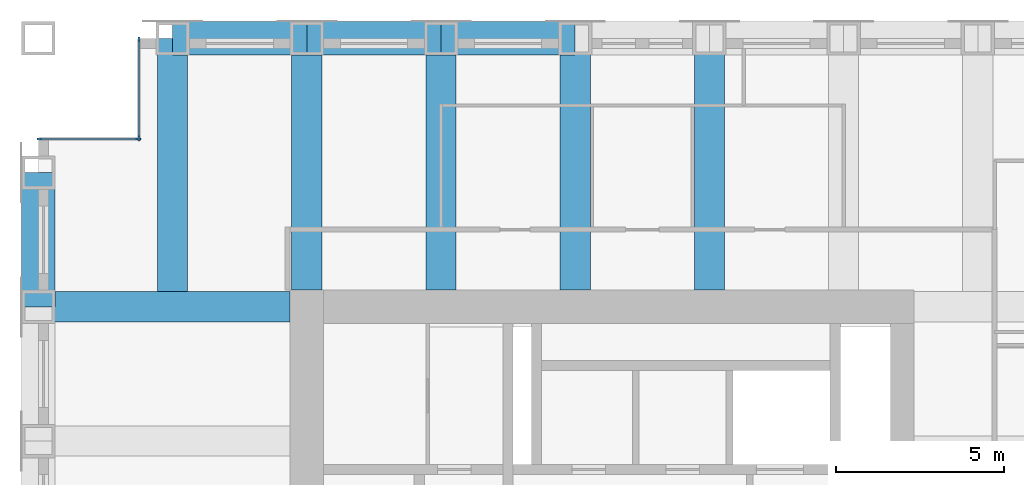
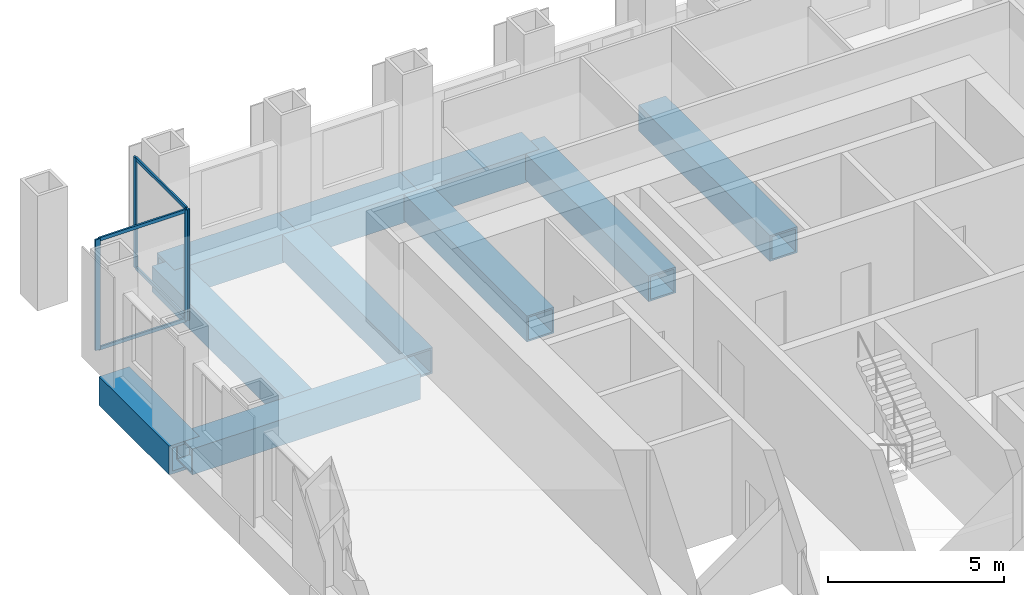
# One storey, part 5 of 11: 10 beams, 8 members, 2 elements without a shape of their own.
"""IFC4 building model written with IfcOpenShell, lengths in metres."""

import ifcopenshell
import ifcopenshell.guid

model = None  # the IFC model being written
_history = None  # IfcOwnerHistory: only IFC2X3 demands one
_inside = {}  # id of a spatial element -> (the spatial element, [elements in it])
_under = {}  # id of a project, library or spatial element -> (it, [spatial elements below it])
_declared = {}  # id of a project -> (the project, [libraries it declares])
_typed = {}  # id of a type object -> (the type object, [elements of that type])
_made_of = {}  # id of a material, layer set ... -> (it, [elements and type objects made of it])


def new_model(schema):
    """Start an empty IFC model of exactly this schema.

    Asked for "IFC4X3", IfcOpenShell would pick the latest addendum, in which some entities
    have other attributes; the version numbers below select the first issue.
    IFC2X3 requires an IfcOwnerHistory on every rooted entity: one is made here for all.
    """
    global model, _history
    if schema == "IFC4X3":
        model = ifcopenshell.file(schema_version=(4, 3, 0, 0))
    else:
        model = ifcopenshell.file(schema=schema)
    _inside.clear()
    _under.clear()
    _declared.clear()
    _typed.clear()
    _made_of.clear()
    _history = None
    if model.schema == "IFC2X3":
        org = make("IfcOrganization", Name="unknown")
        user = make(
            "IfcPersonAndOrganization",
            ThePerson=make("IfcPerson", FamilyName="unknown"),
            TheOrganization=org,
        )
        app = make(
            "IfcApplication",
            ApplicationDeveloper=org,
            Version="unknown",
            ApplicationFullName="unknown",
            ApplicationIdentifier="unknown",
        )
        _history = make(
            "IfcOwnerHistory",
            OwningUser=user,
            OwningApplication=app,
            ChangeAction="ADDED",
            CreationDate=0,
        )
    return model


def make(cls, **values):
    """One entity of the class cls with the attributes given. An attribute that is None is left unset."""
    return model.create_entity(
        cls, **{name: value for name, value in values.items() if value is not None}
    )


def rooted(cls, **values):
    """An entity with a GlobalId (a new one), such as an element, a storey or a relation."""
    return make(cls, GlobalId=ifcopenshell.guid.new(), OwnerHistory=_history, **values)


def si_unit(unit_type, name, prefix=None):
    """IfcSIUnit, for example si_unit("LENGTHUNIT", "METRE", prefix="MILLI")."""
    return make("IfcSIUnit", UnitType=unit_type, Prefix=prefix, Name=name)


def assignment(units):
    """IfcUnitAssignment: the units of a project."""
    return None if units is None else make("IfcUnitAssignment", Units=units)


def point(xyz):
    """IfcCartesianPoint."""
    return None if xyz is None else make("IfcCartesianPoint", Coordinates=xyz)


def direction(xyz):
    """IfcDirection."""
    return None if xyz is None else make("IfcDirection", DirectionRatios=xyz)


def frame(location, z_axis=None, x_axis=None):
    """IfcAxis2Placement3D, a coordinate frame: its origin and axes. An axis left out is left unset."""
    return make(
        "IfcAxis2Placement3D",
        Location=point(location),
        Axis=direction(z_axis),
        RefDirection=direction(x_axis),
    )


def frame_2d(location, x_axis=None):
    """IfcAxis2Placement2D, a coordinate frame in the plane: its origin and x axis."""
    return make(
        "IfcAxis2Placement2D", Location=point(location), RefDirection=direction(x_axis)
    )


def origin():
    """The frame at (0, 0, 0) with its axes left unset."""
    return frame((0.0, 0.0, 0.0))


def origin_2d():
    """The frame at (0, 0) in the plane with its x axis left unset."""
    return frame_2d((0.0, 0.0))


def place(relative_to, where):
    """IfcLocalPlacement: puts the frame where relative to a parent placement (None: the world)."""
    return make(
        "IfcLocalPlacement", PlacementRelTo=relative_to, RelativePlacement=where
    )


def context(
    kind, dimensions, precision=None, world=None, true_north=None, identifier=None
):
    """IfcGeometricRepresentationContext, for example the 3D "Model" context."""
    return make(
        "IfcGeometricRepresentationContext",
        ContextIdentifier=identifier,
        ContextType=kind,
        CoordinateSpaceDimension=dimensions,
        Precision=precision,
        WorldCoordinateSystem=world,
        TrueNorth=true_north,
    )


def subcontext(parent, identifier, kind, view, scale=None):
    """IfcGeometricRepresentationSubContext, for example "Body" below "Model"."""
    return make(
        "IfcGeometricRepresentationSubContext",
        ContextIdentifier=identifier,
        ContextType=kind,
        ParentContext=parent,
        TargetScale=scale,
        TargetView=view,
    )


def project(units=None, contexts=None):
    """IfcProject with its units and contexts."""
    return rooted(
        "IfcProject",
        Name="project",
        RepresentationContexts=contexts,
        UnitsInContext=assignment(units),
    )


def spatial(cls, under=None, at=None, **own):
    """A site, building, storey or space (cls), placed at a placement, below another one or the project."""
    s = rooted(cls, ObjectPlacement=at, **own)
    if under is not None:
        _under.setdefault(under.id(), (under, []))[1].append(s)
    return s


def profile(cls, at=None, kind="AREA", **sizes):
    """A parametric profile (cls). Its sizes go by their IFC names, for example OverallWidth=200.0."""
    return make(cls, ProfileType=kind, Position=at, **sizes)


def rectangle(**sizes):
    """IfcRectangleProfileDef."""
    return profile("IfcRectangleProfileDef", **sizes)


def hollow_rectangle(**sizes):
    """IfcRectangleHollowProfileDef."""
    return profile("IfcRectangleHollowProfileDef", **sizes)


def extrude(swept, where, along, depth):
    """IfcExtrudedAreaSolid: the profile swept, set in the frame where, extruded along a direction by depth."""
    return make(
        "IfcExtrudedAreaSolid",
        SweptArea=swept,
        Position=where,
        ExtrudedDirection=direction(along),
        Depth=depth,
    )


def shape(context_of_items, identifier, shape_type, items):
    """IfcShapeRepresentation: the items that make up one representation, for example the "Body"."""
    return make(
        "IfcShapeRepresentation",
        ContextOfItems=context_of_items,
        RepresentationIdentifier=identifier,
        RepresentationType=shape_type,
        Items=items,
    )


def material(Name=None, Category=None):
    """IfcMaterial."""
    return make("IfcMaterial", Name=Name, Category=Category)


def material_profile(
    of_material, cross_section, Name=None, Category=None, Priority=None
):
    """IfcMaterialProfile: a cross section and its material."""
    return make(
        "IfcMaterialProfile",
        Name=Name,
        Material=of_material,
        Profile=cross_section,
        Priority=Priority,
        Category=Category,
    )


def profile_set(profiles, Name=None, composite=None):
    """IfcMaterialProfileSet."""
    return make(
        "IfcMaterialProfileSet",
        Name=Name,
        MaterialProfiles=profiles,
        CompositeProfile=composite,
    )


def made_of(thing, what):
    """Note that an element or type object is made of a material, layer set ...; save() writes the relation."""
    if what is not None:
        _made_of.setdefault(what.id(), (what, []))[1].append(thing)
    return thing


def type_object(cls, material=None, **own):
    """A type object (cls), such as IfcWallType, which elements share."""
    return made_of(rooted(cls, **own), material)


def element(
    cls,
    number,
    at=None,
    inside=None,
    cuts=None,
    type_object=None,
    material=None,
    context=None,
    identifier="Body",
    shape_type=None,
    held_by="IfcProductDefinitionShape",
    body=None,
    shapes=None,
    **own,
):
    """One element of the class cls, such as IfcWall. Its Tag is "e" and its number.

    at: its placement. inside: the storey or other place that contains it. cuts: it is an
    opening in that element (IfcRelVoidsElement). A single representation is given by context,
    identifier, shape_type and body (its items); several are given by shapes. held_by: the class
    of the entity that holds the representations. save() writes the other relations.
    """
    e = rooted(cls, Tag="e%d" % number, ObjectPlacement=at, **own)
    if body is not None:
        shapes = [shape(context, identifier, shape_type, body)]
    if shapes is not None:
        e.Representation = make(held_by, Representations=shapes)
    if inside is not None:
        _inside.setdefault(inside.id(), (inside, []))[1].append(e)
    if cuts is not None:
        rooted(
            "IfcRelVoidsElement", RelatingBuildingElement=cuts, RelatedOpeningElement=e
        )
    if type_object is not None:
        _typed.setdefault(type_object.id(), (type_object, []))[1].append(e)
    return made_of(e, material)


def aggregate(whole, parts):
    """IfcRelAggregates: a whole, such as a stair, and the parts it consists of."""
    return rooted("IfcRelAggregates", RelatingObject=whole, RelatedObjects=parts)


def save(model, path):
    """Write the relations noted so far, then the file.

    IfcRelAggregates (storeys below a building ...), IfcRelContainedInSpatialStructure (elements
    in a storey), IfcRelDefinesByType, IfcRelAssociatesMaterial and IfcRelDeclares: one each for
    every whole, place, type object, material and project.
    """
    for whole, parts in _under.values():
        aggregate(whole, parts)
    for where, things in _inside.values():
        rooted(
            "IfcRelContainedInSpatialStructure",
            RelatedElements=things,
            RelatingStructure=where,
        )
    for kind, things in _typed.values():
        rooted("IfcRelDefinesByType", RelatedObjects=things, RelatingType=kind)
    for what, things in _made_of.values():
        rooted("IfcRelAssociatesMaterial", RelatedObjects=things, RelatingMaterial=what)
    for by, libraries in _declared.values():
        rooted("IfcRelDeclares", RelatingContext=by, RelatedDefinitions=libraries)
    model.write(path)


model = new_model("IFC4")

# Units and contexts
model_context = context("Model", 3, precision=1e-05, world=origin(), true_north=direction((0.0, 1.0)))
body_context = subcontext(model_context, "Body", "Model", "MODEL_VIEW")
ifc_project = project(units=[si_unit("LENGTHUNIT", "METRE"), si_unit("AREAUNIT", "SQUARE_METRE"), si_unit("VOLUMEUNIT", "CUBIC_METRE"), si_unit("PLANEANGLEUNIT", "RADIAN"), si_unit("MASSUNIT", "GRAM", prefix="KILO")], contexts=[model_context])

# Site, building, storey
site_placement = place(None, origin())
site = spatial("IfcSite", under=ifc_project, at=site_placement, CompositionType="ELEMENT")
building_placement = place(site_placement, origin())
building = spatial("IfcBuilding", under=site, at=building_placement, Name="Rimbunsela Tower", CompositionType="ELEMENT")
storey_placement = place(building_placement, frame((0.0, 0.0, 246.199951171875)))
storey = spatial("IfcBuildingStorey", under=building, at=storey_placement, Name="L59", CompositionType="ELEMENT", Elevation=246.199951171875)

# Beams
ifc_material_1 = material(Name="Steel BJ 55 (fy 410 MPa)", Category="steel")
ifc_material_profile_1 = material_profile(ifc_material_1, hollow_rectangle(XDim=1.0, YDim=1.0, WallThickness=0.10009765625, at=origin_2d()), Name="BOX 1000x1000x100")
ifc_profile_set_1 = profile_set([ifc_material_profile_1], Name="Steel BJ 55 (fy 410 MPa)")
beam_type_1 = type_object("IfcBeamType", Name="Beam BOX 1000x1000x100", PredefinedType="BEAM", material=ifc_profile_set_1)
for number, where, z_axis, x_axis, name in (
    (1, (10.0, 36.0, -0.64990234375), (0.0, 1.0, 0.0), (-1.0, 0.0, 0.0), "Beam B3 L59"),
    (2, (14.0, 44.0, -0.64990234375), (1.0, 0.0, 0.0), (0.0, 1.0, 0.0), "Beam B3 L59"),
    (3, (18.0, 44.0, -0.64990234375), (1.0, 0.0, 0.0), (0.0, 1.0, 0.0), "Beam B3 L59"),
    (4, (22.0, 44.0, -0.64990234375), (1.0, 0.0, 0.0), (0.0, 1.0, 0.0), "Beam B3 L59"),
):
    element("IfcBeam", number, at=place(storey_placement, frame(where, z_axis=z_axis, x_axis=x_axis)), inside=storey, type_object=beam_type_1, Name=name, PredefinedType="BEAM", context=body_context, shape_type="SweptSolid", body=[
        extrude(hollow_rectangle(XDim=1.0, YDim=1.0, WallThickness=0.10009765625, at=origin_2d()), origin(), (0.0, 0.0, 1.0), 4.0),
    ])
ifc_material_2 = material(Name="Steel BJ 55 (fy 410 MPa)", Category="steel")
ifc_material_profile_2 = material_profile(ifc_material_2, hollow_rectangle(XDim=0.89990234375, YDim=0.89990234375, WallThickness=0.06005859375, at=origin_2d()), Name="BOX 900x900x60")
ifc_profile_set_2 = profile_set([ifc_material_profile_2], Name="Steel BJ 55 (fy 410 MPa)")
beam_type_2 = type_object("IfcBeamType", Name="Beam BOX 900x900x60", PredefinedType="BEAM", material=ifc_profile_set_2)
beam_1_placement = place(storey_placement, frame((10.0, 36.0, -0.599853515625), z_axis=(1.0, 0.0, 0.0), x_axis=(0.0, 1.0, 0.0)))
element("IfcBeam", 5, at=beam_1_placement, inside=storey, type_object=beam_type_2, Name="Beam B1 L59", PredefinedType="BEAM", context=body_context, shape_type="SweptSolid", body=[
    extrude(hollow_rectangle(XDim=0.89990234375, YDim=0.89990234375, WallThickness=0.06005859375, at=origin_2d()), origin(), (0.0, 0.0, 1.0), 7.5),
])
beam_2_placement = place(storey_placement, frame((14.0, 36.449951171875, -0.599853515625), z_axis=(0.0, 1.0, 0.0), x_axis=(-1.0, 0.0, 0.0)))
element("IfcBeam", 6, at=beam_2_placement, inside=storey, type_object=beam_type_2, Name="Beam B1 L59", PredefinedType="BEAM", context=body_context, shape_type="SweptSolid", body=[
    extrude(hollow_rectangle(XDim=0.89990234375, YDim=0.89990234375, WallThickness=0.06005859375, at=origin_2d()), origin(), (0.0, 0.0, 1.0), 7.550048828125),
])
for number, where, z_axis, x_axis, name in (
    (7, (18.0, 36.5, -0.599853515625), (0.0, 1.0, 0.0), (-1.0, 0.0, 0.0), "Beam B1 L59"),
    (8, (22.0, 36.5, -0.599853515625), (0.0, 1.0, 0.0), (-1.0, 0.0, 0.0), "Beam B1 L59"),
    (9, (26.0, 36.5, -0.599853515625), (0.0, 1.0, 0.0), (-1.0, 0.0, 0.0), "Beam B1 L59"),
    (10, (30.0, 36.5, -0.599853515625), (0.0, 1.0, 0.0), (-1.0, 0.0, 0.0), "Beam B1 L59"),
):
    element("IfcBeam", number, at=place(storey_placement, frame(where, z_axis=z_axis, x_axis=x_axis)), inside=storey, type_object=beam_type_2, Name=name, PredefinedType="BEAM", context=body_context, shape_type="SweptSolid", body=[
        extrude(hollow_rectangle(XDim=0.89990234375, YDim=0.89990234375, WallThickness=0.06005859375, at=origin_2d()), origin(), (0.0, 0.0, 1.0), 7.5),
    ])

# Curtain wall, members
ifc_material_3 = material(Name="Aluminium curtain wall", Category="aluminium")
curtain_wall_type = type_object("IfcCurtainWallType", Name="Corner glazing", PredefinedType="USERDEFINED", material=ifc_material_3)
curtain_wall_1_placement = place(storey_placement, origin())
curtain_wall_1 = element("IfcCurtainWall", 11, at=curtain_wall_1_placement, inside=storey, type_object=curtain_wall_type, Name="Corner glazing L59", ObjectType="CORNER GLAZING", PredefinedType="USERDEFINED")
ifc_material_4 = material(Name="Aluminium mullion", Category="aluminium")
ifc_material_profile_3 = material_profile(ifc_material_4, rectangle(XDim=0.06005859375, YDim=0.159912109375, at=origin_2d()), Name="Mullion 60x160")
ifc_profile_set_3 = profile_set([ifc_material_profile_3], Name="Aluminium mullion")
member_type_1 = type_object("IfcMemberType", Name="Curtain wall mullion 60x160", PredefinedType="MULLION", material=ifc_profile_set_3)
member_1_placement = place(storey_placement, frame((13.0, 43.969970703125, 0.0), z_axis=(0.0, 0.0, 1.0), x_axis=(1.0, 0.0, 0.0)))
member_1 = element("IfcMember", 12, at=member_1_placement, type_object=member_type_1, Name="CW5 mullion 1", PredefinedType="MULLION", context=body_context, shape_type="SweptSolid", body=[
    extrude(rectangle(XDim=0.06005859375, YDim=0.159912109375, at=origin_2d()), origin(), (0.0, 0.0, 1.0), 3.85009765625),
])
member_2_placement = place(storey_placement, frame((13.0, 41.030029296875, 0.0), z_axis=(0.0, 0.0, 1.0), x_axis=(1.0, 0.0, 0.0)))
member_2 = element("IfcMember", 13, at=member_2_placement, type_object=member_type_1, Name="CW5 mullion 2", PredefinedType="MULLION", context=body_context, shape_type="SweptSolid", body=[
    extrude(rectangle(XDim=0.06005859375, YDim=0.159912109375, at=origin_2d()), origin(), (0.0, 0.0, 1.0), 3.85009765625),
])

curtain_wall_2_placement = place(storey_placement, origin())
curtain_wall_2 = element("IfcCurtainWall", 14, at=curtain_wall_2_placement, inside=storey, type_object=curtain_wall_type, Name="Corner glazing L59", ObjectType="CORNER GLAZING", PredefinedType="USERDEFINED")
member_3_placement = place(storey_placement, frame((12.969970703125, 41.0, 0.0), z_axis=(0.0, 0.0, 1.0), x_axis=(0.0, -1.0, 0.0)))
member_3 = element("IfcMember", 15, at=member_3_placement, type_object=member_type_1, Name="CW5 mullion 1", PredefinedType="MULLION", context=body_context, shape_type="SweptSolid", body=[
    extrude(rectangle(XDim=0.06005859375, YDim=0.159912109375, at=origin_2d()), origin(), (0.0, 0.0, 1.0), 3.85009765625),
])
member_4_placement = place(storey_placement, frame((10.030029296875, 41.0, 0.0), z_axis=(0.0, 0.0, 1.0), x_axis=(0.0, -1.0, 0.0)))
member_4 = element("IfcMember", 16, at=member_4_placement, type_object=member_type_1, Name="CW5 mullion 2", PredefinedType="MULLION", context=body_context, shape_type="SweptSolid", body=[
    extrude(rectangle(XDim=0.06005859375, YDim=0.159912109375, at=origin_2d()), origin(), (0.0, 0.0, 1.0), 3.85009765625),
])

# Member
ifc_material_5 = material(Name="Aluminium transom", Category="aluminium")
ifc_material_profile_4 = material_profile(ifc_material_5, rectangle(XDim=0.06005859375, YDim=0.1201171875, at=origin_2d()), Name="Transom 60x120")
ifc_profile_set_4 = profile_set([ifc_material_profile_4], Name="Aluminium transom")
member_type_2 = type_object("IfcMemberType", Name="Curtain wall transom 60x120", PredefinedType="USERDEFINED", material=ifc_profile_set_4)
member_5_placement = place(storey_placement, frame((13.0, 43.93994140625, 0.030029296875), z_axis=(0.0, -1.0, 0.0), x_axis=(1.0, 0.0, 0.0)))
member_5 = element("IfcMember", 17, at=member_5_placement, type_object=member_type_2, Name="CW5 transom 1.1", ObjectType="TRANSOM", PredefinedType="USERDEFINED", context=body_context, shape_type="SweptSolid", body=[
    extrude(rectangle(XDim=0.06005859375, YDim=0.1201171875, at=origin_2d()), origin(), (0.0, 0.0, 1.0), 2.8798828125),
])

member_6_placement = place(storey_placement, frame((13.0, 43.93994140625, 3.820068359375), z_axis=(0.0, -1.0, 0.0), x_axis=(1.0, 0.0, 0.0)))
member_6 = element("IfcMember", 18, at=member_6_placement, type_object=member_type_2, Name="CW5 transom 1.2", ObjectType="TRANSOM", PredefinedType="USERDEFINED", context=body_context, shape_type="SweptSolid", body=[
    extrude(rectangle(XDim=0.06005859375, YDim=0.1201171875, at=origin_2d()), origin(), (0.0, 0.0, 1.0), 2.8798828125),
])

aggregate(curtain_wall_1, [member_1, member_2, member_5, member_6])

member_7_placement = place(storey_placement, frame((12.93994140625, 41.0, 0.030029296875), z_axis=(-1.0, 0.0, 0.0), x_axis=(0.0, -1.0, 0.0)))
member_7 = element("IfcMember", 19, at=member_7_placement, type_object=member_type_2, Name="CW5 transom 1.1", ObjectType="TRANSOM", PredefinedType="USERDEFINED", context=body_context, shape_type="SweptSolid", body=[
    extrude(rectangle(XDim=0.06005859375, YDim=0.1201171875, at=origin_2d()), origin(), (0.0, 0.0, 1.0), 2.8798828125),
])

member_8_placement = place(storey_placement, frame((12.93994140625, 41.0, 3.820068359375), z_axis=(-1.0, 0.0, 0.0), x_axis=(0.0, -1.0, 0.0)))
member_8 = element("IfcMember", 20, at=member_8_placement, type_object=member_type_2, Name="CW5 transom 1.2", ObjectType="TRANSOM", PredefinedType="USERDEFINED", context=body_context, shape_type="SweptSolid", body=[
    extrude(rectangle(XDim=0.06005859375, YDim=0.1201171875, at=origin_2d()), origin(), (0.0, 0.0, 1.0), 2.8798828125),
])

aggregate(curtain_wall_2, [member_3, member_4, member_7, member_8])

save(model, "model.ifc")
